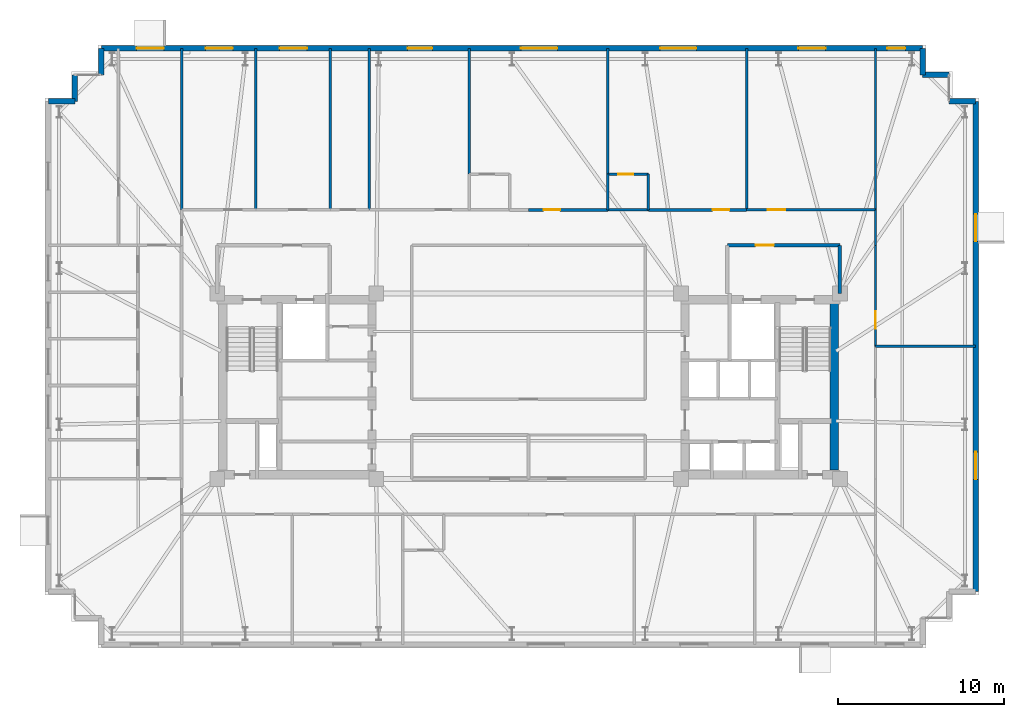
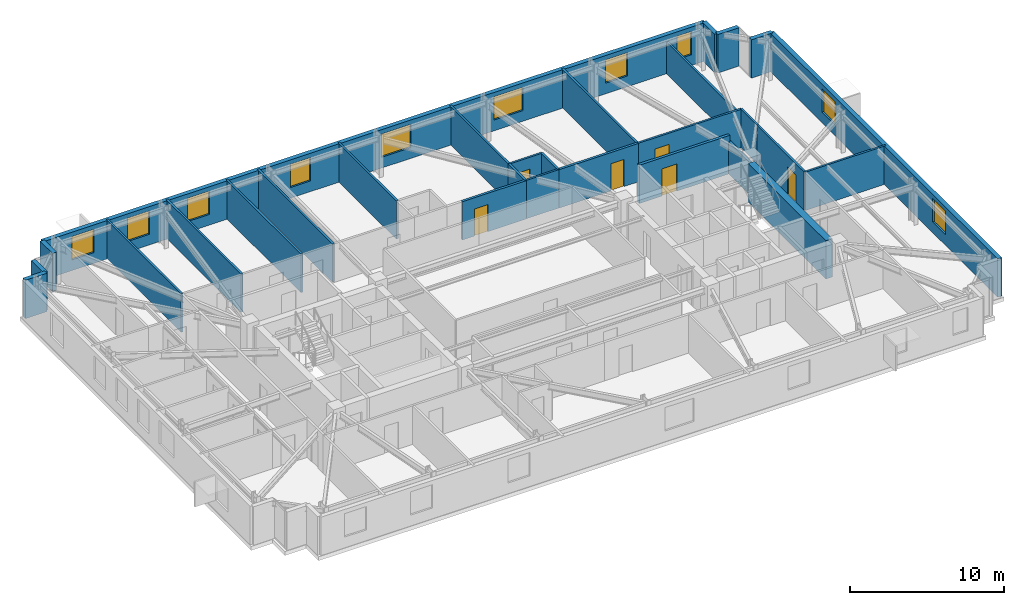
# One storey, part 14 of 17: 29 walls, 10 windows, 6 doors, 16 openings.
"""IFC4 building model written with IfcOpenShell, lengths in metres."""

from ifc_helpers import new_model, si_unit, direction, frame, frame_2d, origin, place, context, subcontext, project, spatial, rectangle, extrude, material, layer, layer_set, type_object, element, fill, save


model = new_model("IFC4")

# Units and contexts
model_context = context("Model", 3, precision=1e-05, world=origin(), true_north=direction((0.0, 1.0)))
body_context = subcontext(model_context, "Body", "Model", "MODEL_VIEW")
ifc_project = project(units=[si_unit("LENGTHUNIT", "METRE"), si_unit("AREAUNIT", "SQUARE_METRE"), si_unit("VOLUMEUNIT", "CUBIC_METRE"), si_unit("PLANEANGLEUNIT", "RADIAN"), si_unit("MASSUNIT", "GRAM", prefix="KILO")], contexts=[model_context])

# Site, building, storey
site_placement = place(None, origin())
site = spatial("IfcSite", under=ifc_project, at=site_placement, CompositionType="ELEMENT")
building_placement = place(site_placement, origin())
building = spatial("IfcBuilding", under=site, at=building_placement, Name="Qobustan Lattice House", CompositionType="ELEMENT")
storey_placement = place(building_placement, frame((0.0, 0.0, 164.5)))
storey = spatial("IfcBuildingStorey", under=building, at=storey_placement, Name="L46", CompositionType="ELEMENT", Elevation=164.5)

# Walls
ifc_material_1 = material(Name="Concrete C50/60", Category="concrete")
ifc_layer_1 = layer(ifc_material_1, 0.5)
ifc_layer_set_1 = layer_set([ifc_layer_1], Name="Concrete C50/60")
wall_type_1 = type_object("IfcWallType", Name="WAL-CORE-500", PredefinedType="SHEAR", material=ifc_layer_set_1)
wall_1_placement = place(storey_placement, frame((18.4599609375, -5.050048828125, 0.0), z_axis=(0.0, 0.0, 1.0), x_axis=(0.0, 1.0, 0.0)))
element("IfcWall", 1, at=wall_1_placement, inside=storey, type_object=wall_type_1, Name="L46 split-core shear wall CE-E", PredefinedType="SHEAR", context=body_context, shape_type="SweptSolid", body=[
    extrude(rectangle(XDim=10.10009765625, YDim=0.5, at=frame_2d((5.050048828125, 0.0))), origin(), (0.0, 0.0, 1.0), 3.0400390625),
])
ifc_material_2 = material(Name="Precast concrete C40/50", Category="concrete")
ifc_layer_2 = layer(ifc_material_2, 0.320068359375)
ifc_layer_set_2 = layer_set([ifc_layer_2], Name="Precast concrete C40/50")
wall_type_2 = type_object("IfcWallType", Name="WAL-EXT-STONE-320", PredefinedType="SOLIDWALL", material=ifc_layer_set_2)
for number, where, z_axis, x_axis, name in (
    (2, (-29.0, 17.199951171875, 0.0), (0.0, 0.0, 1.0), (1.0, 0.0, 0.0), "L46 exterior limestone-clad wall 6"),
    (3, (-27.39990234375, 17.199951171875, 0.0), (0.0, 0.0, 1.0), (0.0, 1.0, 0.0), "L46 exterior limestone-clad wall 7"),
):
    element("IfcWall", number, at=place(storey_placement, frame(where, z_axis=z_axis, x_axis=x_axis)), inside=storey, type_object=wall_type_2, Name=name, PredefinedType="SOLIDWALL", context=body_context, shape_type="SweptSolid", body=[
        extrude(rectangle(XDim=1.60009765625, YDim=0.320068359375, at=frame_2d((0.800048828125, 0.0))), origin(), (0.0, 0.0, 1.0), 3.0400390625),
    ])
wall_2_placement = place(storey_placement, frame((-25.800048828125, 18.800048828125, 0.0), z_axis=(0.0, 0.0, 1.0), x_axis=(0.0, 1.0, 0.0)))
element("IfcWall", 4, at=wall_2_placement, inside=storey, type_object=wall_type_2, Name="L46 exterior limestone-clad wall 9", PredefinedType="SOLIDWALL", context=body_context, shape_type="SweptSolid", body=[
    extrude(rectangle(XDim=1.599853515625, YDim=0.320068359375, at=frame_2d((0.7998046875, 0.0))), origin(), (0.0, 0.0, 1.0), 3.0400390625),
])

# Wall, openings, windows
wall_3_placement = place(storey_placement, frame((-25.800048828125, 20.39990234375, 0.0), z_axis=(0.0, 0.0, 1.0), x_axis=(1.0, 0.0, 0.0)))
wall_3 = element("IfcWall", 5, at=wall_3_placement, inside=storey, type_object=wall_type_2, Name="L46 exterior limestone-clad wall 10", PredefinedType="SOLIDWALL", context=body_context, shape_type="SweptSolid", body=[
    extrude(rectangle(XDim=49.60009765625, YDim=0.320068359375, at=frame_2d((24.800048828125, 0.0))), origin(), (0.0, 0.0, 1.0), 3.0400390625),
])
opening_1_placement = place(wall_3_placement, frame((2.135009765625, 0.0, 0.85009765625)))
opening_1 = element("IfcOpeningElement", 6, at=opening_1_placement, cuts=wall_3, Name="Opening WN-09", PredefinedType="OPENING", context=body_context, shape_type="SweptSolid", body=[
    extrude(rectangle(XDim=1.64990234375, YDim=1.85009765625, at=frame_2d((0.824951171875, 0.925048828125))), frame((0.0, 0.169921875, 0.0), z_axis=(0.0, -1.0, 0.0), x_axis=(1.0, 0.0, 0.0)), (0.0, 0.0, 1.0), 0.340087890625),
])
opening_2_placement = place(wall_3_placement, frame((6.294921875, 0.0, 0.85009765625)))
opening_2 = element("IfcOpeningElement", 7, at=opening_2_placement, cuts=wall_3, Name="Opening WN-09", PredefinedType="OPENING", context=body_context, shape_type="SweptSolid", body=[
    extrude(rectangle(XDim=1.64990234375, YDim=1.85009765625, at=frame_2d((0.824951171875, 0.925048828125))), frame((0.0, 0.169921875, 0.0), z_axis=(0.0, -1.0, 0.0), x_axis=(1.0, 0.0, 0.0)), (0.0, 0.0, 1.0), 0.340087890625),
])
opening_3_placement = place(wall_3_placement, frame((10.77490234375, 0.0, 0.85009765625)))
opening_3 = element("IfcOpeningElement", 8, at=opening_3_placement, cuts=wall_3, Name="Opening WN-09", PredefinedType="OPENING", context=body_context, shape_type="SweptSolid", body=[
    extrude(rectangle(XDim=1.64990234375, YDim=1.85009765625, at=frame_2d((0.824951171875, 0.925048828125))), frame((0.0, 0.169921875, 0.0), z_axis=(0.0, -1.0, 0.0), x_axis=(1.0, 0.0, 0.0)), (0.0, 0.0, 1.0), 0.340087890625),
])
opening_4_placement = place(wall_3_placement, frame((18.489990234375, 0.0, 0.85009765625)))
opening_4 = element("IfcOpeningElement", 9, at=opening_4_placement, cuts=wall_3, Name="Opening WN-01", PredefinedType="OPENING", context=body_context, shape_type="SweptSolid", body=[
    extrude(rectangle(XDim=1.5, YDim=1.85009765625, at=frame_2d((0.75, 0.925048828125))), frame((0.0, 0.169921875, 0.0), z_axis=(0.0, -1.0, 0.0), x_axis=(1.0, 0.0, 0.0)), (0.0, 0.0, 1.0), 0.340087890625),
])
opening_5_placement = place(wall_3_placement, frame((25.340087890625, 0.0, 0.85009765625)))
opening_5 = element("IfcOpeningElement", 10, at=opening_5_placement, cuts=wall_3, Name="Opening WN-03", PredefinedType="OPENING", context=body_context, shape_type="SweptSolid", body=[
    extrude(rectangle(XDim=2.199951171875, YDim=1.85009765625, at=frame_2d((1.10009765625, 0.925048828125))), frame((0.0, 0.169921875, 0.0), z_axis=(0.0, -1.0, 0.0), x_axis=(1.0, 0.0, 0.0)), (0.0, 0.0, 1.0), 0.340087890625),
])
opening_6_placement = place(wall_3_placement, frame((33.739990234375, 0.0, 0.85009765625)))
opening_6 = element("IfcOpeningElement", 11, at=opening_6_placement, cuts=wall_3, Name="Opening WN-03", PredefinedType="OPENING", context=body_context, shape_type="SweptSolid", body=[
    extrude(rectangle(XDim=2.199951171875, YDim=1.85009765625, at=frame_2d((1.10009765625, 0.925048828125))), frame((0.0, 0.169921875, 0.0), z_axis=(0.0, -1.0, 0.0), x_axis=(1.0, 0.0, 0.0)), (0.0, 0.0, 1.0), 0.340087890625),
])
opening_7_placement = place(wall_3_placement, frame((42.094970703125, 0.0, 0.85009765625)))
opening_7 = element("IfcOpeningElement", 12, at=opening_7_placement, cuts=wall_3, Name="Opening WN-09", PredefinedType="OPENING", context=body_context, shape_type="SweptSolid", body=[
    extrude(rectangle(XDim=1.64990234375, YDim=1.85009765625, at=frame_2d((0.824951171875, 0.925048828125))), frame((0.0, 0.169921875, 0.0), z_axis=(0.0, -1.0, 0.0), x_axis=(1.0, 0.0, 0.0)), (0.0, 0.0, 1.0), 0.340087890625),
])
opening_8_placement = place(wall_3_placement, frame((47.449951171875, 0.0, 0.85009765625)))
opening_8 = element("IfcOpeningElement", 13, at=opening_8_placement, cuts=wall_3, Name="Opening WN-04", PredefinedType="OPENING", context=body_context, shape_type="SweptSolid", body=[
    extrude(rectangle(XDim=1.10009765625, YDim=1.85009765625, at=frame_2d((0.550048828125, 0.925048828125))), frame((0.0, 0.169921875, 0.0), z_axis=(0.0, -1.0, 0.0), x_axis=(1.0, 0.0, 0.0)), (0.0, 0.0, 1.0), 0.340087890625),
])
ifc_material_3 = material(Name="Double-glazed low-E aluminium window", Category="aluminium")
window_type_1 = type_object("IfcWindowType", Name="WIN-BED-1500x1850", PartitioningType="SINGLE_PANEL", PredefinedType="WINDOW", material=ifc_material_3)
window_1_placement = place(opening_4_placement, origin())
window_1 = element("IfcWindow", 14, at=window_1_placement, inside=storey, type_object=window_type_1, Name="L46 Laundry utility room window", OverallHeight=1.85009765625, OverallWidth=1.5, PartitioningType="SINGLE_PANEL", PredefinedType="WINDOW", context=body_context, shape_type="SweptSolid", body=[
    extrude(rectangle(XDim=1.5, YDim=1.85009765625, at=frame_2d((0.75, 0.925048828125))), frame((0.0, 0.030029296875, 0.0), z_axis=(0.0, -1.0, 0.0), x_axis=(1.0, 0.0, 0.0)), (0.0, 0.0, 1.0), 0.06005859375),
])
fill(opening_4, window_1)
ifc_material_4 = material(Name="Double-glazed low-E aluminium window", Category="aluminium")
window_type_2 = type_object("IfcWindowType", Name="WIN-NAR-1100x1850", PartitioningType="SINGLE_PANEL", PredefinedType="WINDOW", material=ifc_material_4)
window_2_placement = place(opening_8_placement, origin())
window_2 = element("IfcWindow", 15, at=window_2_placement, inside=storey, type_object=window_type_2, Name="L46 Collaborative tutorial room window", OverallHeight=1.85009765625, OverallWidth=1.10009765625, PartitioningType="SINGLE_PANEL", PredefinedType="WINDOW", context=body_context, shape_type="SweptSolid", body=[
    extrude(rectangle(XDim=1.10009765625, YDim=1.85009765625, at=frame_2d((0.550048828125, 0.925048828125))), frame((0.0, 0.030029296875, 0.0), z_axis=(0.0, -1.0, 0.0), x_axis=(1.0, 0.0, 0.0)), (0.0, 0.0, 1.0), 0.06005859375),
])
fill(opening_8, window_2)
ifc_material_5 = material(Name="Double-glazed low-E aluminium window", Category="aluminium")
window_type_3 = type_object("IfcWindowType", Name="WIN-STU-1650x1850", PartitioningType="SINGLE_PANEL", PredefinedType="WINDOW", material=ifc_material_5)
window_3_placement = place(opening_1_placement, origin())
window_3 = element("IfcWindow", 16, at=window_3_placement, inside=storey, type_object=window_type_3, Name="L46 Reading seminar room L46WN window", OverallHeight=1.85009765625, OverallWidth=1.64990234375, PartitioningType="SINGLE_PANEL", PredefinedType="WINDOW", context=body_context, shape_type="SweptSolid", body=[
    extrude(rectangle(XDim=1.64990234375, YDim=1.85009765625, at=frame_2d((0.824951171875, 0.925048828125))), frame((0.0, 0.030029296875, 0.0), z_axis=(0.0, -1.0, 0.0), x_axis=(1.0, 0.0, 0.0)), (0.0, 0.0, 1.0), 0.06005859375),
])
fill(opening_1, window_3)
window_4_placement = place(opening_2_placement, origin())
window_4 = element("IfcWindow", 17, at=window_4_placement, inside=storey, type_object=window_type_3, Name="L46 Focus study room N1A window", OverallHeight=1.85009765625, OverallWidth=1.64990234375, PartitioningType="SINGLE_PANEL", PredefinedType="WINDOW", context=body_context, shape_type="SweptSolid", body=[
    extrude(rectangle(XDim=1.64990234375, YDim=1.85009765625, at=frame_2d((0.824951171875, 0.925048828125))), frame((0.0, 0.030029296875, 0.0), z_axis=(0.0, -1.0, 0.0), x_axis=(1.0, 0.0, 0.0)), (0.0, 0.0, 1.0), 0.06005859375),
])
fill(opening_2, window_4)
window_5_placement = place(opening_3_placement, origin())
window_5 = element("IfcWindow", 18, at=window_5_placement, inside=storey, type_object=window_type_3, Name="L46 Focus study room N1B window", OverallHeight=1.85009765625, OverallWidth=1.64990234375, PartitioningType="SINGLE_PANEL", PredefinedType="WINDOW", context=body_context, shape_type="SweptSolid", body=[
    extrude(rectangle(XDim=1.64990234375, YDim=1.85009765625, at=frame_2d((0.824951171875, 0.925048828125))), frame((0.0, 0.030029296875, 0.0), z_axis=(0.0, -1.0, 0.0), x_axis=(1.0, 0.0, 0.0)), (0.0, 0.0, 1.0), 0.06005859375),
])
fill(opening_3, window_5)
window_6_placement = place(opening_7_placement, origin())
window_6 = element("IfcWindow", 19, at=window_6_placement, inside=storey, type_object=window_type_3, Name="L46 Focus study room N5 window", OverallHeight=1.85009765625, OverallWidth=1.64990234375, PartitioningType="SINGLE_PANEL", PredefinedType="WINDOW", context=body_context, shape_type="SweptSolid", body=[
    extrude(rectangle(XDim=1.64990234375, YDim=1.85009765625, at=frame_2d((0.824951171875, 0.925048828125))), frame((0.0, 0.030029296875, 0.0), z_axis=(0.0, -1.0, 0.0), x_axis=(1.0, 0.0, 0.0)), (0.0, 0.0, 1.0), 0.06005859375),
])
fill(opening_7, window_6)
ifc_material_6 = material(Name="Double-glazed low-E aluminium window", Category="aluminium")
window_type_4 = type_object("IfcWindowType", Name="WIN-WIDE-2200x1850", PartitioningType="SINGLE_PANEL", PredefinedType="WINDOW", material=ifc_material_6)
window_7_placement = place(opening_5_placement, origin())
window_7 = element("IfcWindow", 20, at=window_7_placement, inside=storey, type_object=window_type_4, Name="L46 Kitchenette and studio apartment L46-N3 window", OverallHeight=1.85009765625, OverallWidth=2.199951171875, PartitioningType="SINGLE_PANEL", PredefinedType="WINDOW", context=body_context, shape_type="SweptSolid", body=[
    extrude(rectangle(XDim=2.199951171875, YDim=1.85009765625, at=frame_2d((1.10009765625, 0.925048828125))), frame((0.0, 0.030029296875, 0.0), z_axis=(0.0, -1.0, 0.0), x_axis=(1.0, 0.0, 0.0)), (0.0, 0.0, 1.0), 0.06005859375),
])
fill(opening_5, window_7)
window_8_placement = place(opening_6_placement, origin())
window_8 = element("IfcWindow", 21, at=window_8_placement, inside=storey, type_object=window_type_4, Name="L46 Kitchenette and studio apartment L46-N4 window", OverallHeight=1.85009765625, OverallWidth=2.199951171875, PartitioningType="SINGLE_PANEL", PredefinedType="WINDOW", context=body_context, shape_type="SweptSolid", body=[
    extrude(rectangle(XDim=2.199951171875, YDim=1.85009765625, at=frame_2d((1.10009765625, 0.925048828125))), frame((0.0, 0.030029296875, 0.0), z_axis=(0.0, -1.0, 0.0), x_axis=(1.0, 0.0, 0.0)), (0.0, 0.0, 1.0), 0.06005859375),
])
fill(opening_6, window_8)

# Walls
for number, where, z_axis, x_axis, name in (
    (22, (23.800048828125, 20.39990234375, 0.0), (0.0, 0.0, 1.0), (0.0, -1.0, 0.0), "L46 exterior limestone-clad wall 11"),
    (23, (23.800048828125, 18.800048828125, 0.0), (0.0, 0.0, 1.0), (1.0, 0.0, 0.0), "L46 exterior limestone-clad wall 12"),
):
    element("IfcWall", number, at=place(storey_placement, frame(where, z_axis=z_axis, x_axis=x_axis)), inside=storey, type_object=wall_type_2, Name=name, PredefinedType="SOLIDWALL", context=body_context, shape_type="SweptSolid", body=[
        extrude(rectangle(XDim=1.599853515625, YDim=0.320068359375, at=frame_2d((0.7998046875, 0.0))), origin(), (0.0, 0.0, 1.0), 3.0400390625),
    ])
wall_4_placement = place(storey_placement, frame((25.39990234375, 17.199951171875, 0.0), z_axis=(0.0, 0.0, 1.0), x_axis=(1.0, 0.0, 0.0)))
element("IfcWall", 24, at=wall_4_placement, inside=storey, type_object=wall_type_2, Name="L46 exterior limestone-clad wall 14", PredefinedType="SOLIDWALL", context=body_context, shape_type="SweptSolid", body=[
    extrude(rectangle(XDim=1.60009765625, YDim=0.320068359375, at=frame_2d((0.800048828125, 0.0))), origin(), (0.0, 0.0, 1.0), 3.0400390625),
])

# Wall, openings, windows
wall_5_placement = place(storey_placement, frame((27.0, 17.199951171875, 0.0), z_axis=(0.0, 0.0, 1.0), x_axis=(0.0, -1.0, 0.0)))
wall_5 = element("IfcWall", 25, at=wall_5_placement, inside=storey, type_object=wall_type_2, Name="L46 exterior limestone-clad wall 15", PredefinedType="SOLIDWALL", context=body_context, shape_type="SweptSolid", body=[
    extrude(rectangle(XDim=29.599853515625, YDim=0.320068359375, at=frame_2d((14.7998046875, 0.0))), origin(), (0.0, 0.0, 1.0), 3.0400390625),
])
opening_9_placement = place(wall_5_placement, frame((6.81494140625, 0.0, 0.85009765625)))
opening_9 = element("IfcOpeningElement", 26, at=opening_9_placement, cuts=wall_5, Name="Opening WN-09", PredefinedType="OPENING", context=body_context, shape_type="SweptSolid", body=[
    extrude(rectangle(XDim=1.64990234375, YDim=1.85009765625, at=frame_2d((0.824951171875, 0.925048828125))), frame((0.0, 0.169921875, 0.0), z_axis=(0.0, -1.0, 0.0), x_axis=(1.0, 0.0, 0.0)), (0.0, 0.0, 1.0), 0.340087890625),
])
opening_10_placement = place(wall_5_placement, frame((21.175048828125, 0.0, 0.85009765625)))
opening_10 = element("IfcOpeningElement", 27, at=opening_10_placement, cuts=wall_5, Name="Opening WN-09", PredefinedType="OPENING", context=body_context, shape_type="SweptSolid", body=[
    extrude(rectangle(XDim=1.64990234375, YDim=1.85009765625, at=frame_2d((0.824951171875, 0.925048828125))), frame((0.0, 0.169921875, 0.0), z_axis=(0.0, -1.0, 0.0), x_axis=(1.0, 0.0, 0.0)), (0.0, 0.0, 1.0), 0.340087890625),
])
window_9_placement = place(opening_9_placement, origin())
window_9 = element("IfcWindow", 28, at=window_9_placement, inside=storey, type_object=window_type_3, Name="L46 Collaborative tutorial room window", OverallHeight=1.85009765625, OverallWidth=1.64990234375, PartitioningType="SINGLE_PANEL", PredefinedType="WINDOW", context=body_context, shape_type="SweptSolid", body=[
    extrude(rectangle(XDim=1.64990234375, YDim=1.85009765625, at=frame_2d((0.824951171875, 0.925048828125))), frame((0.0, 0.030029296875, 0.0), z_axis=(0.0, -1.0, 0.0), x_axis=(1.0, 0.0, 0.0)), (0.0, 0.0, 1.0), 0.06005859375),
])
fill(opening_9, window_9)
window_10_placement = place(opening_10_placement, origin())
window_10 = element("IfcWindow", 29, at=window_10_placement, inside=storey, type_object=window_type_3, Name="L46 Fellows reading room window", OverallHeight=1.85009765625, OverallWidth=1.64990234375, PartitioningType="SINGLE_PANEL", PredefinedType="WINDOW", context=body_context, shape_type="SweptSolid", body=[
    extrude(rectangle(XDim=1.64990234375, YDim=1.85009765625, at=frame_2d((0.824951171875, 0.925048828125))), frame((0.0, 0.030029296875, 0.0), z_axis=(0.0, -1.0, 0.0), x_axis=(1.0, 0.0, 0.0)), (0.0, 0.0, 1.0), 0.06005859375),
])
fill(opening_10, window_10)

# Wall, opening, door
ifc_material_7 = material(Name="Gypsum fireboard acoustic partition", Category="gypsum")
ifc_layer_3 = layer(ifc_material_7, 0.179931640625)
ifc_layer_set_3 = layer_set([ifc_layer_3], Name="Gypsum fireboard acoustic partition")
wall_type_3 = type_object("IfcWallType", Name="WAL-FIRE-180", PredefinedType="PARTITIONING", material=ifc_layer_set_3)
wall_6_placement = place(storey_placement, frame((0.0, 10.64990234375, 0.0), z_axis=(0.0, 0.0, 1.0), x_axis=(1.0, 0.0, 0.0)))
wall_6 = element("IfcWall", 30, at=wall_6_placement, inside=storey, type_object=wall_type_3, Name="L46 interior partition 41", PredefinedType="PARTITIONING", context=body_context, shape_type="SweptSolid", body=[
    extrude(rectangle(XDim=4.7900390625, YDim=0.179931640625, at=frame_2d((2.39501953125, 0.0))), origin(), (0.0, 0.0, 1.0), 3.0400390625),
])
opening_11_placement = place(wall_6_placement, frame((0.90869140625, 0.0, 0.0)))
opening_11 = element("IfcOpeningElement", 31, at=opening_11_placement, cuts=wall_6, Name="Opening FD-02", PredefinedType="OPENING", context=body_context, shape_type="SweptSolid", body=[
    extrude(rectangle(XDim=1.0, YDim=2.14990234375, at=frame_2d((0.5, 1.074951171875))), frame((0.0, 0.099853515625, 0.0), z_axis=(0.0, -1.0, 0.0), x_axis=(1.0, 0.0, 0.0)), (0.0, 0.0, 1.0), 0.199951171875),
])
ifc_material_8 = material(Name="Persian walnut timber and steel frame door", Category="steel")
door_type_1 = type_object("IfcDoorType", Name="DOR-UNIT-FD-1000x2150", OperationType="NOTDEFINED", PredefinedType="DOOR", material=ifc_material_8)
door_1_placement = place(opening_11_placement, origin())
door_1 = element("IfcDoor", 32, at=door_1_placement, inside=storey, type_object=door_type_1, Name="L46 North-east floor corridor to Kitchenette and studio apartment L46-N3 door", OperationType="SINGLE_SWING_LEFT", OverallHeight=2.14990234375, OverallWidth=1.0, PredefinedType="DOOR", context=body_context, shape_type="SweptSolid", body=[
    extrude(rectangle(XDim=1.0, YDim=2.14990234375, at=frame_2d((0.5, 1.074951171875))), frame((0.0, 0.02490234375, 0.0), z_axis=(0.0, -1.0, 0.0), x_axis=(1.0, 0.0, 0.0)), (0.0, 0.0, 1.0), 0.050048828125),
])
fill(opening_11, door_1)

wall_7_placement = place(storey_placement, frame((7.239990234375, 10.64990234375, 0.0), z_axis=(0.0, 0.0, 1.0), x_axis=(1.0, 0.0, 0.0)))
wall_7 = element("IfcWall", 33, at=wall_7_placement, inside=storey, type_object=wall_type_3, Name="L46 interior partition 42", PredefinedType="PARTITIONING", context=body_context, shape_type="SweptSolid", body=[
    extrude(rectangle(XDim=5.929931640625, YDim=0.179931640625, at=frame_2d((2.96484375, 0.0))), origin(), (0.0, 0.0, 1.0), 3.0400390625),
])
opening_12_placement = place(wall_7_placement, frame((3.87890625, 0.0, 0.0)))
opening_12 = element("IfcOpeningElement", 34, at=opening_12_placement, cuts=wall_7, Name="Opening FD-02", PredefinedType="OPENING", context=body_context, shape_type="SweptSolid", body=[
    extrude(rectangle(XDim=1.0, YDim=2.14990234375, at=frame_2d((0.5, 1.074951171875))), frame((0.0, 0.099853515625, 0.0), z_axis=(0.0, -1.0, 0.0), x_axis=(1.0, 0.0, 0.0)), (0.0, 0.0, 1.0), 0.199951171875),
])
door_2_placement = place(opening_12_placement, origin())
door_2 = element("IfcDoor", 35, at=door_2_placement, inside=storey, type_object=door_type_1, Name="L46 North-east floor corridor to Kitchenette and studio apartment L46-N4 door", OperationType="SINGLE_SWING_RIGHT", OverallHeight=2.14990234375, OverallWidth=1.0, PredefinedType="DOOR", context=body_context, shape_type="SweptSolid", body=[
    extrude(rectangle(XDim=1.0, YDim=2.14990234375, at=frame_2d((0.5, 1.074951171875))), frame((0.0, 0.02490234375, 0.0), z_axis=(0.0, -1.0, 0.0), x_axis=(1.0, 0.0, 0.0)), (0.0, 0.0, 1.0), 0.050048828125),
])
fill(opening_12, door_2)

# Wall
ifc_material_9 = material(Name="Acoustic twin-stud gypsum partition", Category="gypsum")
ifc_layer_4 = layer(ifc_material_9, 0.14990234375)
ifc_layer_set_4 = layer_set([ifc_layer_4], Name="Acoustic twin-stud gypsum partition")
wall_type_4 = type_object("IfcWallType", Name="WAL-PART-150", PredefinedType="PARTITIONING", material=ifc_layer_set_4)
wall_8_placement = place(storey_placement, frame((20.949951171875, 10.64990234375, 0.0), z_axis=(0.0, 0.0, 1.0), x_axis=(0.0, -1.0, 0.0)))
element("IfcWall", 36, at=wall_8_placement, inside=storey, type_object=wall_type_4, Name="L46 interior partition 40", PredefinedType="PARTITIONING", context=body_context, shape_type="SweptSolid", body=[
    extrude(rectangle(XDim=2.14990234375, YDim=0.14990234375, at=frame_2d((1.074951171875, 0.0))), origin(), (0.0, 0.0, 1.0), 3.0400390625),
])

# Wall, opening, door
wall_9_placement = place(storey_placement, frame((13.169921875, 10.64990234375, 0.0), z_axis=(0.0, 0.0, 1.0), x_axis=(1.0, 0.0, 0.0)))
wall_9 = element("IfcWall", 37, at=wall_9_placement, inside=storey, type_object=wall_type_4, Name="L46 interior partition 44", PredefinedType="PARTITIONING", context=body_context, shape_type="SweptSolid", body=[
    extrude(rectangle(XDim=7.780029296875, YDim=0.14990234375, at=frame_2d((3.89013671875, 0.0))), origin(), (0.0, 0.0, 1.0), 3.0400390625),
])
opening_13_placement = place(wall_9_placement, frame((1.276123046875, 0.0, 0.0)))
opening_13 = element("IfcOpeningElement", 38, at=opening_13_placement, cuts=wall_9, Name="Opening ID-02", PredefinedType="OPENING", context=body_context, shape_type="SweptSolid", body=[
    extrude(rectangle(XDim=1.050048828125, YDim=2.14990234375, at=frame_2d((0.52490234375, 1.074951171875))), frame((0.0, 0.0849609375, 0.0), z_axis=(0.0, -1.0, 0.0), x_axis=(1.0, 0.0, 0.0)), (0.0, 0.0, 1.0), 0.169921875),
])
ifc_material_10 = material(Name="Persian walnut timber and steel frame door", Category="steel")
door_type_2 = type_object("IfcDoorType", Name="DOR-STUDY-1050x2150", OperationType="NOTDEFINED", PredefinedType="DOOR", material=ifc_material_10)
door_3_placement = place(opening_13_placement, origin())
door_3 = element("IfcDoor", 39, at=door_3_placement, inside=storey, type_object=door_type_2, Name="L46 North-east floor corridor to Focus study room N5 door", OperationType="SINGLE_SWING_LEFT", OverallHeight=2.14990234375, OverallWidth=1.050048828125, PredefinedType="DOOR", context=body_context, shape_type="SweptSolid", body=[
    extrude(rectangle(XDim=1.050048828125, YDim=2.14990234375, at=frame_2d((0.52490234375, 1.074951171875))), frame((0.0, 0.02490234375, 0.0), z_axis=(0.0, -1.0, 0.0), x_axis=(1.0, 0.0, 0.0)), (0.0, 0.0, 1.0), 0.050048828125),
])
fill(opening_13, door_3)

wall_10_placement = place(storey_placement, frame((20.949951171875, 8.5, 0.0), z_axis=(0.0, 0.0, 1.0), x_axis=(0.0, -1.0, 0.0)))
wall_10 = element("IfcWall", 40, at=wall_10_placement, inside=storey, type_object=wall_type_4, Name="L46 interior partition 59", PredefinedType="PARTITIONING", context=body_context, shape_type="SweptSolid", body=[
    extrude(rectangle(XDim=6.10009765625, YDim=0.14990234375, at=frame_2d((3.050048828125, 0.0))), origin(), (0.0, 0.0, 1.0), 3.0400390625),
])
opening_14_placement = place(wall_10_placement, frame((3.983642578125, 0.0, 0.0)))
opening_14 = element("IfcOpeningElement", 41, at=opening_14_placement, cuts=wall_10, Name="Opening ID-02", PredefinedType="OPENING", context=body_context, shape_type="SweptSolid", body=[
    extrude(rectangle(XDim=1.050048828125, YDim=2.14990234375, at=frame_2d((0.52490234375, 1.074951171875))), frame((0.0, 0.0849609375, 0.0), z_axis=(0.0, -1.0, 0.0), x_axis=(1.0, 0.0, 0.0)), (0.0, 0.0, 1.0), 0.169921875),
])
door_4_placement = place(opening_14_placement, origin())
door_4 = element("IfcDoor", 42, at=door_4_placement, inside=storey, type_object=door_type_2, Name="L46 East wing spine gallery to Collaborative tutorial room door", OperationType="SINGLE_SWING_RIGHT", OverallHeight=2.14990234375, OverallWidth=1.050048828125, PredefinedType="DOOR", context=body_context, shape_type="SweptSolid", body=[
    extrude(rectangle(XDim=1.050048828125, YDim=2.14990234375, at=frame_2d((0.52490234375, 1.074951171875))), frame((0.0, 0.02490234375, 0.0), z_axis=(0.0, -1.0, 0.0), x_axis=(1.0, 0.0, 0.0)), (0.0, 0.0, 1.0), 0.050048828125),
])
fill(opening_14, door_4)

# Walls
wall_11_placement = place(storey_placement, frame((-20.949951171875, 20.39990234375, 0.0), z_axis=(0.0, 0.0, 1.0), x_axis=(0.0, -1.0, 0.0)))
element("IfcWall", 43, at=wall_11_placement, inside=storey, type_object=wall_type_4, Name="L46 interior partition 76", PredefinedType="PARTITIONING", context=body_context, shape_type="SweptSolid", body=[
    extrude(rectangle(XDim=9.75, YDim=0.14990234375, at=frame_2d((4.875, 0.0))), origin(), (0.0, 0.0, 1.0), 3.0400390625),
])
wall_12_placement = place(storey_placement, frame((20.949951171875, 2.39990234375, 0.0), z_axis=(0.0, 0.0, 1.0), x_axis=(1.0, 0.0, 0.0)))
element("IfcWall", 44, at=wall_12_placement, inside=storey, type_object=wall_type_4, Name="L46 interior partition 84", PredefinedType="PARTITIONING", context=body_context, shape_type="SweptSolid", body=[
    extrude(rectangle(XDim=6.050048828125, YDim=0.14990234375, at=frame_2d((3.02490234375, 0.0))), origin(), (0.0, 0.0, 1.0), 3.0400390625),
])
wall_13_placement = place(storey_placement, frame((20.949951171875, 10.64990234375, 0.0), z_axis=(0.0, 0.0, 1.0), x_axis=(0.0, 1.0, 0.0)))
element("IfcWall", 45, at=wall_13_placement, inside=storey, type_object=wall_type_4, Name="L46 interior partition 86", PredefinedType="PARTITIONING", context=body_context, shape_type="SweptSolid", body=[
    extrude(rectangle(XDim=9.75, YDim=0.14990234375, at=frame_2d((4.875, 0.0))), origin(), (0.0, 0.0, 1.0), 2.52490234375),
])
wall_14_placement = place(storey_placement, frame((-16.4599609375, 20.39990234375, 0.0), z_axis=(0.0, 0.0, 1.0), x_axis=(0.0, -1.0, 0.0)))
element("IfcWall", 46, at=wall_14_placement, inside=storey, type_object=wall_type_4, Name="L46 interior partition 87", PredefinedType="PARTITIONING", context=body_context, shape_type="SweptSolid", body=[
    extrude(rectangle(XDim=9.75, YDim=0.14990234375, at=frame_2d((4.875, 0.0))), origin(), (0.0, 0.0, 1.0), 3.0400390625),
])
for number, where, z_axis, x_axis, name in (
    (47, (-3.590087890625, 20.39990234375, 0.0), (0.0, 0.0, 1.0), (0.0, -1.0, 0.0), "L46 interior partition 90"),
    (48, (4.7900390625, 20.39990234375, 0.0), (0.0, 0.0, 1.0), (0.0, -1.0, 0.0), "L46 interior partition 94"),
):
    element("IfcWall", number, at=place(storey_placement, frame(where, z_axis=z_axis, x_axis=x_axis)), inside=storey, type_object=wall_type_4, Name=name, PredefinedType="PARTITIONING", context=body_context, shape_type="SweptSolid", body=[
        extrude(rectangle(XDim=7.599853515625, YDim=0.14990234375, at=frame_2d((3.7998046875, 0.0))), origin(), (0.0, 0.0, 1.0), 3.0400390625),
    ])
wall_15_placement = place(storey_placement, frame((13.169921875, 20.39990234375, 0.0), z_axis=(0.0, 0.0, 1.0), x_axis=(0.0, -1.0, 0.0)))
element("IfcWall", 49, at=wall_15_placement, inside=storey, type_object=wall_type_4, Name="L46 interior partition 98", PredefinedType="PARTITIONING", context=body_context, shape_type="SweptSolid", body=[
    extrude(rectangle(XDim=9.75, YDim=0.14990234375, at=frame_2d((4.875, 0.0))), origin(), (0.0, 0.0, 1.0), 3.0400390625),
])

# Wall, opening, door
ifc_material_11 = material(Name="Two-hour gypsum fireboard acoustic partition", Category="gypsum")
ifc_layer_5 = layer(ifc_material_11, 0.199951171875)
ifc_layer_set_5 = layer_set([ifc_layer_5], Name="Two-hour gypsum fireboard acoustic partition")
wall_type_5 = type_object("IfcWallType", Name="WAL-PROT-200", PredefinedType="PARTITIONING", material=ifc_layer_set_5)
wall_16_placement = place(storey_placement, frame((18.800048828125, 8.5, 0.0), z_axis=(0.0, 0.0, 1.0), x_axis=(-1.0, 0.0, 0.0)))
wall_16 = element("IfcWall", 50, at=wall_16_placement, inside=storey, type_object=wall_type_5, Name="L46 interior partition 17", PredefinedType="PARTITIONING", context=body_context, shape_type="SweptSolid", body=[
    extrude(rectangle(XDim=6.800048828125, YDim=0.199951171875, at=frame_2d((3.39990234375, 0.0))), origin(), (0.0, 0.0, 1.0), 3.0400390625),
])
opening_15_placement = place(wall_16_placement, frame((3.985107421875, 0.0, 0.0)))
opening_15 = element("IfcOpeningElement", 51, at=opening_15_placement, cuts=wall_16, Name="Opening SD-01", PredefinedType="OPENING", context=body_context, shape_type="SweptSolid", body=[
    extrude(rectangle(XDim=1.10009765625, YDim=2.14990234375, at=frame_2d((0.550048828125, 1.074951171875))), frame((0.0, 0.10986328125, 0.0), z_axis=(0.0, -1.0, 0.0), x_axis=(1.0, 0.0, 0.0)), (0.0, 0.0, 1.0), 0.219970703125),
])
ifc_material_12 = material(Name="Persian walnut timber and steel frame door", Category="steel")
door_type_3 = type_object("IfcDoorType", Name="DOR-STAIR-FD-1100x2150", OperationType="NOTDEFINED", PredefinedType="DOOR", material=ifc_material_12)
door_5_placement = place(opening_15_placement, origin())
door_5 = element("IfcDoor", 52, at=door_5_placement, inside=storey, type_object=door_type_3, Name="L46 East firefighting lift lobby to North-east floor corridor door", OperationType="SINGLE_SWING_LEFT", OverallHeight=2.14990234375, OverallWidth=1.10009765625, PredefinedType="DOOR", context=body_context, shape_type="SweptSolid", body=[
    extrude(rectangle(XDim=1.10009765625, YDim=2.14990234375, at=frame_2d((0.550048828125, 1.074951171875))), frame((0.0, 0.02490234375, 0.0), z_axis=(0.0, -1.0, 0.0), x_axis=(1.0, 0.0, 0.0)), (0.0, 0.0, 1.0), 0.050048828125),
])
fill(opening_15, door_5)

# Walls
wall_17_placement = place(storey_placement, frame((18.800048828125, 5.60009765625, 0.0), z_axis=(0.0, 0.0, 1.0), x_axis=(0.0, 1.0, 0.0)))
element("IfcWall", 53, at=wall_17_placement, inside=storey, type_object=wall_type_5, Name="L46 interior partition 18", PredefinedType="PARTITIONING", context=body_context, shape_type="SweptSolid", body=[
    extrude(rectangle(XDim=2.89990234375, YDim=0.199951171875, at=frame_2d((1.449951171875, 0.0))), origin(), (0.0, 0.0, 1.0), 2.52490234375),
])
ifc_material_13 = material(Name="Moisture-resistant acoustic plumbing wall", Category="gypsum")
ifc_layer_6 = layer(ifc_material_13, 0.14990234375)
ifc_layer_set_6 = layer_set([ifc_layer_6], Name="Moisture-resistant acoustic plumbing wall")
wall_type_6 = type_object("IfcWallType", Name="WAL-WET-150", PredefinedType="PLUMBINGWALL", material=ifc_layer_set_6)
wall_18_placement = place(storey_placement, frame((4.7900390625, 10.64990234375, 0.0), z_axis=(0.0, 0.0, 1.0), x_axis=(1.0, 0.0, 0.0)))
element("IfcWall", 54, at=wall_18_placement, inside=storey, type_object=wall_type_6, Name="L46 interior partition 43", PredefinedType="PLUMBINGWALL", context=body_context, shape_type="SweptSolid", body=[
    extrude(rectangle(XDim=2.449951171875, YDim=0.14990234375, at=frame_2d((1.22509765625, 0.0))), origin(), (0.0, 0.0, 1.0), 3.0400390625),
])
for number, where, z_axis, x_axis, name in (
    (55, (-11.969970703125, 20.39990234375, 0.0), (0.0, 0.0, 1.0), (0.0, -1.0, 0.0), "L46 interior partition 88"),
    (56, (-9.6201171875, 20.39990234375, 0.0), (0.0, 0.0, 1.0), (0.0, -1.0, 0.0), "L46 interior partition 89"),
):
    element("IfcWall", number, at=place(storey_placement, frame(where, z_axis=z_axis, x_axis=x_axis)), inside=storey, type_object=wall_type_6, Name=name, PredefinedType="PLUMBINGWALL", context=body_context, shape_type="SweptSolid", body=[
        extrude(rectangle(XDim=9.75, YDim=0.14990234375, at=frame_2d((4.875, 0.0))), origin(), (0.0, 0.0, 1.0), 3.0400390625),
    ])
wall_19_placement = place(storey_placement, frame((4.7900390625, 12.800048828125, 0.0), z_axis=(0.0, 0.0, 1.0), x_axis=(0.0, -1.0, 0.0)))
element("IfcWall", 57, at=wall_19_placement, inside=storey, type_object=wall_type_6, Name="L46 interior partition 95", PredefinedType="PLUMBINGWALL", context=body_context, shape_type="SweptSolid", body=[
    extrude(rectangle(XDim=2.150146484375, YDim=0.14990234375, at=frame_2d((1.0751953125, 0.0))), origin(), (0.0, 0.0, 1.0), 3.0400390625),
])

# Wall, opening, door
wall_20_placement = place(storey_placement, frame((7.239990234375, 12.800048828125, 0.0), z_axis=(0.0, 0.0, 1.0), x_axis=(-1.0, 0.0, 0.0)))
wall_20 = element("IfcWall", 58, at=wall_20_placement, inside=storey, type_object=wall_type_6, Name="L46 interior partition 96", PredefinedType="PLUMBINGWALL", context=body_context, shape_type="SweptSolid", body=[
    extrude(rectangle(XDim=2.449951171875, YDim=0.14990234375, at=frame_2d((1.22509765625, 0.0))), origin(), (0.0, 0.0, 1.0), 3.0400390625),
])
opening_16_placement = place(wall_20_placement, frame((0.92138671875, 0.0, 0.0)))
opening_16 = element("IfcOpeningElement", 59, at=opening_16_placement, cuts=wall_20, Name="Opening WD-01", PredefinedType="OPENING", context=body_context, shape_type="SweptSolid", body=[
    extrude(rectangle(XDim=0.89990234375, YDim=2.10009765625, at=frame_2d((0.449951171875, 1.050048828125))), frame((0.0, 0.0849609375, 0.0), z_axis=(0.0, -1.0, 0.0), x_axis=(1.0, 0.0, 0.0)), (0.0, 0.0, 1.0), 0.169921875),
])
ifc_material_14 = material(Name="Persian walnut timber and steel frame door", Category="steel")
door_type_4 = type_object("IfcDoorType", Name="DOR-WET-900x2100", OperationType="NOTDEFINED", PredefinedType="DOOR", material=ifc_material_14)
door_6_placement = place(opening_16_placement, origin())
door_6 = element("IfcDoor", 60, at=door_6_placement, inside=storey, type_object=door_type_4, Name="L46 Kitchenette and studio apartment L46-N4 to En-suite bathroom L46-N4 door", OperationType="SINGLE_SWING_LEFT", OverallHeight=2.10009765625, OverallWidth=0.89990234375, PredefinedType="DOOR", context=body_context, shape_type="SweptSolid", body=[
    extrude(rectangle(XDim=0.89990234375, YDim=2.10009765625, at=frame_2d((0.449951171875, 1.050048828125))), frame((0.0, 0.02490234375, 0.0), z_axis=(0.0, -1.0, 0.0), x_axis=(1.0, 0.0, 0.0)), (0.0, 0.0, 1.0), 0.050048828125),
])
fill(opening_16, door_6)

# Wall
wall_21_placement = place(storey_placement, frame((7.239990234375, 10.64990234375, 0.0), z_axis=(0.0, 0.0, 1.0), x_axis=(0.0, 1.0, 0.0)))
element("IfcWall", 61, at=wall_21_placement, inside=storey, type_object=wall_type_6, Name="L46 interior partition 97", PredefinedType="PLUMBINGWALL", context=body_context, shape_type="SweptSolid", body=[
    extrude(rectangle(XDim=2.150146484375, YDim=0.14990234375, at=frame_2d((1.0751953125, 0.0))), origin(), (0.0, 0.0, 1.0), 3.0400390625),
])

save(model, "model.ifc")
